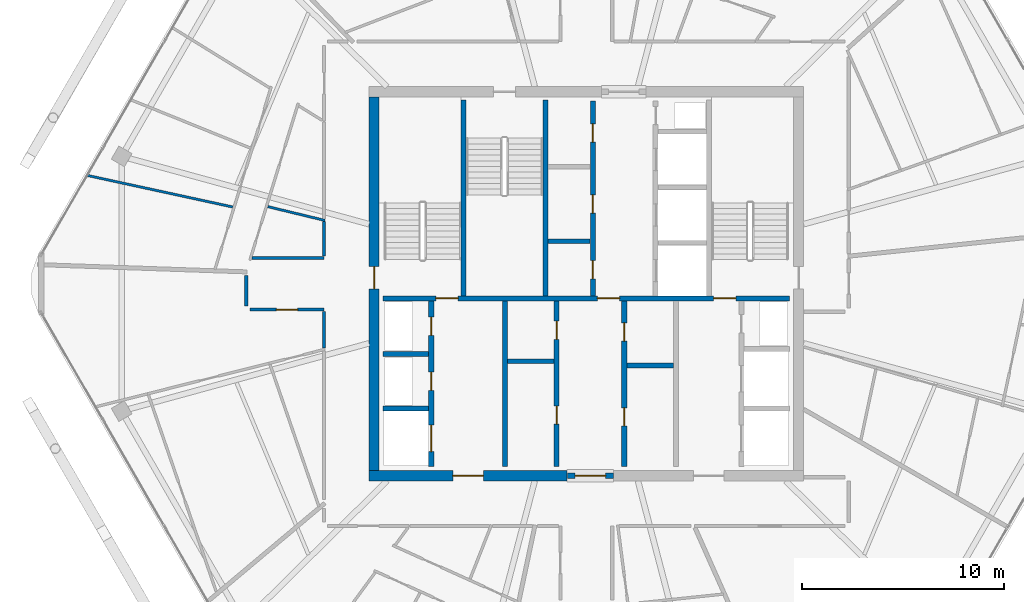
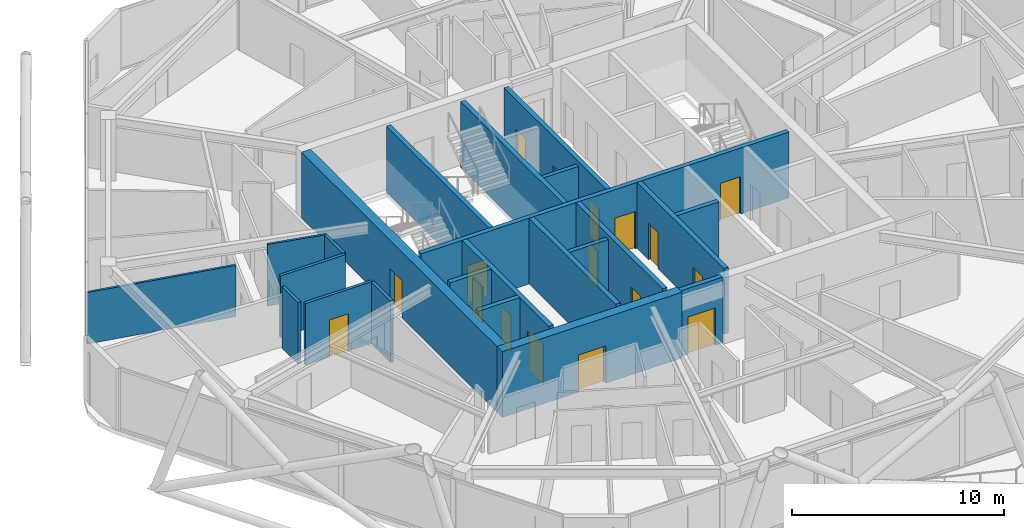
# One storey, part 17 of 23: 23 walls, 17 doors, 17 openings.
"""IFC4 building model written with IfcOpenShell, lengths in metres."""

from ifc_helpers import new_model, si_unit, direction, frame, frame_2d, origin, place, context, subcontext, project, spatial, rectangle, extrude, material, layer, layer_set, type_object, element, fill, save


model = new_model("IFC4")

# Units and contexts
model_context = context("Model", 3, precision=1e-05, world=origin(), true_north=direction((0.0, 1.0)))
body_context = subcontext(model_context, "Body", "Model", "MODEL_VIEW")
ifc_project = project(units=[si_unit("LENGTHUNIT", "METRE"), si_unit("AREAUNIT", "SQUARE_METRE"), si_unit("VOLUMEUNIT", "CUBIC_METRE"), si_unit("PLANEANGLEUNIT", "RADIAN"), si_unit("MASSUNIT", "GRAM", prefix="KILO")], contexts=[model_context])

# Site, building, storey
site_placement = place(None, origin())
site = spatial("IfcSite", under=ifc_project, at=site_placement, CompositionType="ELEMENT")
building_placement = place(site_placement, origin())
building = spatial("IfcBuilding", under=site, at=building_placement, Name="Zuhravey Tower", CompositionType="ELEMENT")
storey_placement = place(building_placement, frame((0.0, 0.0, 346.199951171875)))
storey = spatial("IfcBuildingStorey", under=building, at=storey_placement, Name="L88", CompositionType="ELEMENT", Elevation=346.199951171875)

# Wall, opening, door
ifc_material_1 = material(Name="Concrete C50/60", Category="concrete")
ifc_layer_1 = layer(ifc_material_1, 0.5)
ifc_layer_set_1 = layer_set([ifc_layer_1], Name="Concrete C50/60")
wall_type_1 = type_object("IfcWallType", Name="Core Shear Wall 500", PredefinedType="SHEAR", material=ifc_layer_set_1)
wall_1_placement = place(storey_placement, frame((25.25, 22.5, 0.0), z_axis=(0.0, 0.0, 1.0), x_axis=(1.0, 0.0, 0.0)))
wall_1 = element("IfcWall", 1, at=wall_1_placement, inside=storey, type_object=wall_type_1, Name="L88 South-West Core Shear Wall CW50", PredefinedType="SHEAR", context=body_context, shape_type="SweptSolid", body=[
    extrude(rectangle(XDim=9.800048828125, YDim=0.5, at=frame_2d((4.89990234375, 0.0))), origin(), (0.0, 0.0, 1.0), 3.800048828125),
])
opening_1_placement = place(wall_1_placement, frame((4.14990234375, 0.0, 0.0)))
opening_1 = element("IfcOpeningElement", 2, at=opening_1_placement, cuts=wall_1, Name="Opening FFD1", PredefinedType="OPENING", context=body_context, shape_type="SweptSolid", body=[
    extrude(rectangle(XDim=1.5, YDim=2.14990234375, at=frame_2d((0.75, 1.074951171875))), frame((0.0, 0.261962890625, 0.0), z_axis=(0.0, -1.0, 0.0), x_axis=(1.0, 0.0, 0.0)), (0.0, 0.0, 1.0), 0.52392578125),
])
ifc_material_2 = material(Name="Galvanised fire-rated steel leaf", Category="steel")
door_type_1 = type_object("IfcDoorType", Name="Firefighting Lobby Double Door 1500x2150", OperationType="DOUBLE_DOOR_SINGLE_SWING", PredefinedType="DOOR", material=ifc_material_2)
door_1_placement = place(opening_1_placement, origin())
door_1 = element("IfcDoor", 3, at=door_1_placement, inside=storey, type_object=door_type_1, Name="L88 Firefighting Lobby West Door", OperationType="DOUBLE_DOOR_SINGLE_SWING", OverallHeight=2.14990234375, OverallWidth=1.5, PredefinedType="DOOR", context=body_context, shape_type="SweptSolid", body=[
    extrude(rectangle(XDim=1.5, YDim=2.14990234375, at=frame_2d((0.75, 1.074951171875))), frame((0.0, 0.02490234375, 0.0), z_axis=(0.0, -1.0, 0.0), x_axis=(1.0, 0.0, 0.0)), (0.0, 0.0, 1.0), 0.050048828125),
])
fill(opening_1, door_1)

wall_2_placement = place(storey_placement, frame((25.5, 22.75, 0.0), z_axis=(0.0, 0.0, 1.0), x_axis=(0.0, 1.0, 0.0)))
wall_2 = element("IfcWall", 4, at=wall_2_placement, inside=storey, type_object=wall_type_1, Name="L88 West Core Shear Wall CW50", PredefinedType="SHEAR", context=body_context, shape_type="SweptSolid", body=[
    extrude(rectangle(XDim=18.5, YDim=0.5, at=frame_2d((9.25, 0.0))), origin(), (0.0, 0.0, 1.0), 3.800048828125),
])
opening_2_placement = place(wall_2_placement, frame((9.0, 0.0, 0.0)))
opening_2 = element("IfcOpeningElement", 5, at=opening_2_placement, cuts=wall_2, Name="Opening STD1", PredefinedType="OPENING", context=body_context, shape_type="SweptSolid", body=[
    extrude(rectangle(XDim=1.10009765625, YDim=2.14990234375, at=frame_2d((0.550048828125, 1.074951171875))), frame((0.0, 0.261962890625, 0.0), z_axis=(0.0, -1.0, 0.0), x_axis=(1.0, 0.0, 0.0)), (0.0, 0.0, 1.0), 0.52392578125),
])
door_type_2 = type_object("IfcDoorType", Name="Protected Stair Fire Door 1100x2150", OperationType="NOTDEFINED", PredefinedType="USERDEFINED", material=ifc_material_2)
door_2_placement = place(opening_2_placement, frame((1.10009765625, 0.0, 0.0), z_axis=(0.0, 0.0, 1.0), x_axis=(-1.0, 0.0, 0.0)))
door_2 = element("IfcDoor", 6, at=door_2_placement, inside=storey, type_object=door_type_2, Name="L88 Stair ST1 Door", ObjectType="EXITDOOR", OperationType="SINGLE_SWING_RIGHT", OverallHeight=2.14990234375, OverallWidth=1.10009765625, PredefinedType="USERDEFINED", context=body_context, shape_type="SweptSolid", body=[
    extrude(rectangle(XDim=1.10009765625, YDim=2.14990234375, at=frame_2d((0.550048828125, 1.074951171875))), frame((0.0, 0.02490234375, 0.0), z_axis=(0.0, -1.0, 0.0), x_axis=(1.0, 0.0, 0.0)), (0.0, 0.0, 1.0), 0.050048828125),
])
fill(opening_2, door_2)

ifc_material_3 = material(Name="Gypsum fire-rated stud partition")
ifc_layer_2 = layer(ifc_material_3, 0.159912109375)
ifc_layer_set_2 = layer_set([ifc_layer_2], Name="Gypsum fire-rated stud partition")
wall_type_2 = type_object("IfcWallType", Name="Corridor Fire Partition 160", PredefinedType="PARTITIONING", material=ifc_layer_set_2)
wall_3_placement = place(storey_placement, frame((19.35009765625, 30.719970703125, 0.0), z_axis=(0.0, 0.0, 1.0), x_axis=(1.0, 0.0, 0.0)))
wall_3 = element("IfcWall", 7, at=wall_3_placement, inside=storey, type_object=wall_type_2, Name="L88 IW16 Partition 033", PredefinedType="PARTITIONING", context=body_context, shape_type="SweptSolid", body=[
    extrude(rectangle(XDim=3.669921875, YDim=0.159912109375, at=frame_2d((1.8349609375, 0.0))), origin(), (0.0, 0.0, 1.0), 3.550048828125),
])
opening_3_placement = place(wall_3_placement, frame((1.31005859375, 0.0, 0.0)))
opening_3 = element("IfcOpeningElement", 8, at=opening_3_placement, cuts=wall_3, Name="Opening APD1", PredefinedType="OPENING", context=body_context, shape_type="SweptSolid", body=[
    extrude(rectangle(XDim=1.050048828125, YDim=2.14990234375, at=frame_2d((0.52490234375, 1.074951171875))), frame((0.0, 0.092041015625, 0.0), z_axis=(0.0, -1.0, 0.0), x_axis=(1.0, 0.0, 0.0)), (0.0, 0.0, 1.0), 0.183837890625),
])
ifc_material_4 = material(Name="Solid-core oak fire-rated leaf")
door_type_3 = type_object("IfcDoorType", Name="Apartment Entrance Fire Door 1050x2150", OperationType="NOTDEFINED", PredefinedType="DOOR", material=ifc_material_4)
door_3_placement = place(opening_3_placement, frame((1.050048828125, 0.0, 0.0), z_axis=(0.0, 0.0, 1.0), x_axis=(-1.0, 0.0, 0.0)))
door_3 = element("IfcDoor", 9, at=door_3_placement, inside=storey, type_object=door_type_3, Name="L88 Door 033.1", OperationType="SINGLE_SWING_RIGHT", OverallHeight=2.14990234375, OverallWidth=1.050048828125, PredefinedType="DOOR", context=body_context, shape_type="SweptSolid", body=[
    extrude(rectangle(XDim=1.050048828125, YDim=2.14990234375, at=frame_2d((0.52490234375, 1.074951171875))), frame((0.0, 0.02490234375, 0.0), z_axis=(0.0, -1.0, 0.0), x_axis=(1.0, 0.0, 0.0)), (0.0, 0.0, 1.0), 0.050048828125),
])
fill(opening_3, door_3)

# Walls
wall_4_placement = place(storey_placement, frame((23.02001953125, 33.280029296875, 0.0), z_axis=(0.0, 0.0, 1.0), x_axis=(-1.0, 0.0, 0.0)))
element("IfcWall", 10, at=wall_4_placement, inside=storey, type_object=wall_type_2, Name="L88 IW16 Partition 111", PredefinedType="PARTITIONING", context=body_context, shape_type="SweptSolid", body=[
    extrude(rectangle(XDim=3.55859375, YDim=0.159912109375, at=frame_2d((1.779296875, 0.0))), origin(), (0.0, 0.0, 1.0), 3.550048828125),
])
wall_5_placement = place(storey_placement, frame((23.02001953125, 35.072998046875, 0.0), z_axis=(0.0, 0.0, 1.0), x_axis=(0.0, -1.0, 0.0)))
element("IfcWall", 11, at=wall_5_placement, inside=storey, type_object=wall_type_2, Name="L88 IW16 Partition 112", PredefinedType="PARTITIONING", context=body_context, shape_type="SweptSolid", body=[
    extrude(rectangle(XDim=1.705078125, YDim=0.159912109375, at=frame_2d((0.8525390625, 0.0))), origin(), (0.0, 0.0, 1.0), 3.550048828125),
])
wall_6_placement = place(storey_placement, frame((23.02001953125, 30.632080078125, 0.0), z_axis=(0.0, 0.0, 1.0), x_axis=(0.0, -1.0, 0.0)))
element("IfcWall", 12, at=wall_6_placement, inside=storey, type_object=wall_type_2, Name="L88 IW16 Partition 113", PredefinedType="PARTITIONING", context=body_context, shape_type="SweptSolid", body=[
    extrude(rectangle(XDim=1.8173828125, YDim=0.159912109375, at=frame_2d((0.90869140625, 0.0))), origin(), (0.0, 0.0, 1.0), 3.550048828125),
])
wall_7_placement = place(storey_placement, frame((19.169921875, 32.420654296875, 0.0), z_axis=(0.0, 0.0, 1.0), x_axis=(0.0, -1.0, 0.0)))
element("IfcWall", 13, at=wall_7_placement, inside=storey, type_object=wall_type_2, Name="L88 IW16 Partition 114", PredefinedType="PARTITIONING", context=body_context, shape_type="SweptSolid", body=[
    extrude(rectangle(XDim=1.520751953125, YDim=0.159912109375, at=frame_2d((0.76025390625, 0.0))), origin(), (0.0, 0.0, 1.0), 3.550048828125),
])

# Wall, opening, door
ifc_layer_3 = layer(ifc_material_1, 0.25)
ifc_layer_set_3 = layer_set([ifc_layer_3], Name="Concrete C50/60")
wall_type_3 = type_object("IfcWallType", Name="Firefighting Shaft & Stair Wall 250", PredefinedType="SOLIDWALL", material=ifc_layer_set_3)
wall_8_placement = place(storey_placement, frame((35.06005859375, 22.5, 0.0), z_axis=(0.0, 0.0, 1.0), x_axis=(1.0, 0.0, 0.0)))
wall_8 = element("IfcWall", 14, at=wall_8_placement, inside=storey, type_object=wall_type_3, Name="L88 FW25 Shaft Wall 001", PredefinedType="SOLIDWALL", context=body_context, shape_type="SweptSolid", body=[
    extrude(rectangle(XDim=2.280029296875, YDim=0.25, at=frame_2d((1.14013671875, 0.0))), origin(), (0.0, 0.0, 1.0), 3.800048828125),
])
opening_4_placement = place(wall_8_placement, frame((0.389892578125, 0.0, 0.0)))
opening_4 = element("IfcOpeningElement", 15, at=opening_4_placement, cuts=wall_8, Name="Opening FFD1", PredefinedType="OPENING", context=body_context, shape_type="SweptSolid", body=[
    extrude(rectangle(XDim=1.5, YDim=2.14990234375, at=frame_2d((0.75, 1.074951171875))), frame((0.0, 0.136962890625, 0.0), z_axis=(0.0, -1.0, 0.0), x_axis=(1.0, 0.0, 0.0)), (0.0, 0.0, 1.0), 0.27392578125),
])
door_4_placement = place(opening_4_placement, frame((1.5, 0.0, 0.0), z_axis=(0.0, 0.0, 1.0), x_axis=(-1.0, 0.0, 0.0)))
door_4 = element("IfcDoor", 16, at=door_4_placement, inside=storey, type_object=door_type_1, Name="L88 South Lift Lobby Exit Door", OperationType="DOUBLE_DOOR_SINGLE_SWING", OverallHeight=2.14990234375, OverallWidth=1.5, PredefinedType="DOOR", context=body_context, shape_type="SweptSolid", body=[
    extrude(rectangle(XDim=1.5, YDim=2.14990234375, at=frame_2d((0.75, 1.074951171875))), frame((0.0, 0.02490234375, 0.0), z_axis=(0.0, -1.0, 0.0), x_axis=(1.0, 0.0, 0.0)), (0.0, 0.0, 1.0), 0.050048828125),
])
fill(opening_4, door_4)

# Wall, openings, doors
wall_9_placement = place(storey_placement, frame((25.949951171875, 31.27490234375, 0.0), z_axis=(0.0, 0.0, 1.0), x_axis=(1.0, 0.0, 0.0)))
wall_9 = element("IfcWall", 17, at=wall_9_placement, inside=storey, type_object=wall_type_3, Name="L88 FW25 Shaft Wall 003", PredefinedType="SOLIDWALL", context=body_context, shape_type="SweptSolid", body=[
    extrude(rectangle(XDim=20.10009765625, YDim=0.25, at=frame_2d((10.050048828125, 0.0))), origin(), (0.0, 0.0, 1.0), 3.800048828125),
])
opening_5_placement = place(wall_9_placement, frame((2.60009765625, 0.0, 0.0)))
opening_5 = element("IfcOpeningElement", 18, at=opening_5_placement, cuts=wall_9, Name="Opening STD1", PredefinedType="OPENING", context=body_context, shape_type="SweptSolid", body=[
    extrude(rectangle(XDim=1.10009765625, YDim=2.14990234375, at=frame_2d((0.550048828125, 1.074951171875))), frame((0.0, 0.136962890625, 0.0), z_axis=(0.0, -1.0, 0.0), x_axis=(1.0, 0.0, 0.0)), (0.0, 0.0, 1.0), 0.27392578125),
])
opening_6_placement = place(wall_9_placement, frame((10.60009765625, 0.0, 0.0)))
opening_6 = element("IfcOpeningElement", 19, at=opening_6_placement, cuts=wall_9, Name="Opening STD1", PredefinedType="OPENING", context=body_context, shape_type="SweptSolid", body=[
    extrude(rectangle(XDim=1.10009765625, YDim=2.14990234375, at=frame_2d((0.550048828125, 1.074951171875))), frame((0.0, 0.136962890625, 0.0), z_axis=(0.0, -1.0, 0.0), x_axis=(1.0, 0.0, 0.0)), (0.0, 0.0, 1.0), 0.27392578125),
])
opening_7_placement = place(wall_9_placement, frame((16.35009765625, 0.0, 0.0)))
opening_7 = element("IfcOpeningElement", 20, at=opening_7_placement, cuts=wall_9, Name="Opening STD1", PredefinedType="OPENING", context=body_context, shape_type="SweptSolid", body=[
    extrude(rectangle(XDim=1.10009765625, YDim=2.14990234375, at=frame_2d((0.550048828125, 1.074951171875))), frame((0.0, 0.136962890625, 0.0), z_axis=(0.0, -1.0, 0.0), x_axis=(1.0, 0.0, 0.0)), (0.0, 0.0, 1.0), 0.27392578125),
])
door_5_placement = place(opening_5_placement, origin())
door_5 = element("IfcDoor", 21, at=door_5_placement, inside=storey, type_object=door_type_2, Name="L88 FFL-W to ST1 Door", ObjectType="EXITDOOR", OperationType="SINGLE_SWING_LEFT", OverallHeight=2.14990234375, OverallWidth=1.10009765625, PredefinedType="USERDEFINED", context=body_context, shape_type="SweptSolid", body=[
    extrude(rectangle(XDim=1.10009765625, YDim=2.14990234375, at=frame_2d((0.550048828125, 1.074951171875))), frame((0.0, 0.02490234375, 0.0), z_axis=(0.0, -1.0, 0.0), x_axis=(1.0, 0.0, 0.0)), (0.0, 0.0, 1.0), 0.050048828125),
])
fill(opening_5, door_5)
door_6_placement = place(opening_6_placement, origin())
door_6 = element("IfcDoor", 22, at=door_6_placement, inside=storey, type_object=door_type_2, Name="L88 Core Lobby Link Door", ObjectType="EXITDOOR", OperationType="SINGLE_SWING_RIGHT", OverallHeight=2.14990234375, OverallWidth=1.10009765625, PredefinedType="USERDEFINED", context=body_context, shape_type="SweptSolid", body=[
    extrude(rectangle(XDim=1.10009765625, YDim=2.14990234375, at=frame_2d((0.550048828125, 1.074951171875))), frame((0.0, 0.02490234375, 0.0), z_axis=(0.0, -1.0, 0.0), x_axis=(1.0, 0.0, 0.0)), (0.0, 0.0, 1.0), 0.050048828125),
])
fill(opening_6, door_6)
door_7_placement = place(opening_7_placement, origin())
door_7 = element("IfcDoor", 23, at=door_7_placement, inside=storey, type_object=door_type_2, Name="L88 FFL-E to ST2 Door", ObjectType="EXITDOOR", OperationType="SINGLE_SWING_LEFT", OverallHeight=2.14990234375, OverallWidth=1.10009765625, PredefinedType="USERDEFINED", context=body_context, shape_type="SweptSolid", body=[
    extrude(rectangle(XDim=1.10009765625, YDim=2.14990234375, at=frame_2d((0.550048828125, 1.074951171875))), frame((0.0, 0.02490234375, 0.0), z_axis=(0.0, -1.0, 0.0), x_axis=(1.0, 0.0, 0.0)), (0.0, 0.0, 1.0), 0.050048828125),
])
fill(opening_7, door_7)

# Walls
for number, where, z_axis, x_axis, name in (
    (24, (29.925048828125, 31.39990234375, 0.0), (0.0, 0.0, 1.0), (0.0, 1.0, 0.0), "L88 FW25 Shaft Wall 004"),
    (25, (33.97509765625, 31.39990234375, 0.0), (0.0, 0.0, 1.0), (0.0, 1.0, 0.0), "L88 FW25 Shaft Wall 005"),
):
    element("IfcWall", number, at=place(storey_placement, frame(where, z_axis=z_axis, x_axis=x_axis)), inside=storey, type_object=wall_type_3, Name=name, PredefinedType="SOLIDWALL", context=body_context, shape_type="SweptSolid", body=[
        extrude(rectangle(XDim=9.7001953125, YDim=0.25, at=frame_2d((4.85009765625, 0.0))), origin(), (0.0, 0.0, 1.0), 3.800048828125),
    ])

# Wall, openings, doors
wall_10_placement = place(storey_placement, frame((36.324951171875, 31.39990234375, 0.0), z_axis=(0.0, 0.0, 1.0), x_axis=(0.0, 1.0, 0.0)))
wall_10 = element("IfcWall", 26, at=wall_10_placement, inside=storey, type_object=wall_type_3, Name="L88 FW25 Shaft Wall 007", PredefinedType="SOLIDWALL", context=body_context, shape_type="SweptSolid", body=[
    extrude(rectangle(XDim=9.650146484375, YDim=0.25, at=frame_2d((4.8251953125, 0.0))), origin(), (0.0, 0.0, 1.0), 3.800048828125),
])
opening_8_placement = place(wall_10_placement, frame((0.840087890625, 0.0, 0.0)))
opening_8 = element("IfcOpeningElement", 27, at=opening_8_placement, cuts=wall_10, Name="Opening RSD1", PredefinedType="OPENING", context=body_context, shape_type="SweptSolid", body=[
    extrude(rectangle(XDim=0.89990234375, YDim=2.10009765625, at=frame_2d((0.449951171875, 1.050048828125))), frame((0.0, 0.136962890625, 0.0), z_axis=(0.0, -1.0, 0.0), x_axis=(1.0, 0.0, 0.0)), (0.0, 0.0, 1.0), 0.27392578125),
])
opening_9_placement = place(wall_10_placement, frame((4.10009765625, 0.0, 0.0)))
opening_9 = element("IfcOpeningElement", 28, at=opening_9_placement, cuts=wall_10, Name="Opening RSD1", PredefinedType="OPENING", context=body_context, shape_type="SweptSolid", body=[
    extrude(rectangle(XDim=0.89990234375, YDim=2.10009765625, at=frame_2d((0.449951171875, 1.050048828125))), frame((0.0, 0.136962890625, 0.0), z_axis=(0.0, -1.0, 0.0), x_axis=(1.0, 0.0, 0.0)), (0.0, 0.0, 1.0), 0.27392578125),
])
opening_10_placement = place(wall_10_placement, frame((7.610107421875, 0.0, 0.0)))
opening_10 = element("IfcOpeningElement", 29, at=opening_10_placement, cuts=wall_10, Name="Opening RSD1", PredefinedType="OPENING", context=body_context, shape_type="SweptSolid", body=[
    extrude(rectangle(XDim=0.89990234375, YDim=2.10009765625, at=frame_2d((0.449951171875, 1.050048828125))), frame((0.0, 0.136962890625, 0.0), z_axis=(0.0, -1.0, 0.0), x_axis=(1.0, 0.0, 0.0)), (0.0, 0.0, 1.0), 0.27392578125),
])
ifc_material_5 = material(Name="Galvanised fire-rated steel access leaf", Category="steel")
door_type_4 = type_object("IfcDoorType", Name="Riser & Shaft Access Fire Door 900x2100", OperationType="NOTDEFINED", PredefinedType="DOOR", material=ifc_material_5)
door_8_placement = place(opening_8_placement, origin())
door_8 = element("IfcDoor", 30, at=door_8_placement, inside=storey, type_object=door_type_4, Name="L88 Core Staff WC Door", OperationType="SINGLE_SWING_RIGHT", OverallHeight=2.10009765625, OverallWidth=0.89990234375, PredefinedType="DOOR", context=body_context, shape_type="SweptSolid", body=[
    extrude(rectangle(XDim=0.89990234375, YDim=2.10009765625, at=frame_2d((0.449951171875, 1.050048828125))), frame((0.0, 0.02490234375, 0.0), z_axis=(0.0, -1.0, 0.0), x_axis=(1.0, 0.0, 0.0)), (0.0, 0.0, 1.0), 0.050048828125),
])
fill(opening_8, door_8)
door_9_placement = place(opening_9_placement, origin())
door_9 = element("IfcDoor", 31, at=door_9_placement, inside=storey, type_object=door_type_4, Name="L88 IT and Comms Room Door", OperationType="SINGLE_SWING_LEFT", OverallHeight=2.10009765625, OverallWidth=0.89990234375, PredefinedType="DOOR", context=body_context, shape_type="SweptSolid", body=[
    extrude(rectangle(XDim=0.89990234375, YDim=2.10009765625, at=frame_2d((0.449951171875, 1.050048828125))), frame((0.0, 0.02490234375, 0.0), z_axis=(0.0, -1.0, 0.0), x_axis=(1.0, 0.0, 0.0)), (0.0, 0.0, 1.0), 0.050048828125),
])
fill(opening_9, door_9)
door_10_placement = place(opening_10_placement, origin())
door_10 = element("IfcDoor", 32, at=door_10_placement, inside=storey, type_object=door_type_4, Name="L88 Janitor Linen Store Door", OperationType="SINGLE_SWING_RIGHT", OverallHeight=2.10009765625, OverallWidth=0.89990234375, PredefinedType="DOOR", context=body_context, shape_type="SweptSolid", body=[
    extrude(rectangle(XDim=0.89990234375, YDim=2.10009765625, at=frame_2d((0.449951171875, 1.050048828125))), frame((0.0, 0.02490234375, 0.0), z_axis=(0.0, -1.0, 0.0), x_axis=(1.0, 0.0, 0.0)), (0.0, 0.0, 1.0), 0.050048828125),
])
fill(opening_10, door_10)

# Walls
for number, where, z_axis, x_axis, name in (
    (33, (25.949951171875, 25.824951171875, 0.0), (0.0, 0.0, 1.0), (1.0, 0.0, 0.0), "L88 FW25 Shaft Wall 009"),
    (34, (25.949951171875, 28.52490234375, 0.0), (0.0, 0.0, 1.0), (1.0, 0.0, 0.0), "L88 FW25 Shaft Wall 010"),
):
    element("IfcWall", number, at=place(storey_placement, frame(where, z_axis=z_axis, x_axis=x_axis)), inside=storey, type_object=wall_type_3, Name=name, PredefinedType="SOLIDWALL", context=body_context, shape_type="SweptSolid", body=[
        extrude(rectangle(XDim=2.25, YDim=0.25, at=frame_2d((1.125, 0.0))), origin(), (0.0, 0.0, 1.0), 3.800048828125),
    ])

# Wall, openings, doors
wall_11_placement = place(storey_placement, frame((28.324951171875, 22.949951171875, 0.0), z_axis=(0.0, 0.0, 1.0), x_axis=(0.0, 1.0, 0.0)))
wall_11 = element("IfcWall", 35, at=wall_11_placement, inside=storey, type_object=wall_type_3, Name="L88 FW25 Shaft Wall 011", PredefinedType="SOLIDWALL", context=body_context, shape_type="SweptSolid", body=[
    extrude(rectangle(XDim=8.199951171875, YDim=0.25, at=frame_2d((4.10009765625, 0.0))), origin(), (0.0, 0.0, 1.0), 3.800048828125),
])
opening_11_placement = place(wall_11_placement, frame((0.75, 0.0, 0.0)))
opening_11 = element("IfcOpeningElement", 36, at=opening_11_placement, cuts=wall_11, Name="Opening LD2", PredefinedType="OPENING", context=body_context, shape_type="SweptSolid", body=[
    extrude(rectangle(XDim=1.300048828125, YDim=2.300048828125, at=frame_2d((0.64990234375, 1.14990234375))), frame((0.0, 0.136962890625, 0.0), z_axis=(0.0, -1.0, 0.0), x_axis=(1.0, 0.0, 0.0)), (0.0, 0.0, 1.0), 0.27392578125),
])
opening_12_placement = place(wall_11_placement, frame((3.780029296875, 0.0, 0.0)))
opening_12 = element("IfcOpeningElement", 37, at=opening_12_placement, cuts=wall_11, Name="Opening RSD1", PredefinedType="OPENING", context=body_context, shape_type="SweptSolid", body=[
    extrude(rectangle(XDim=0.89990234375, YDim=2.10009765625, at=frame_2d((0.449951171875, 1.050048828125))), frame((0.0, 0.136962890625, 0.0), z_axis=(0.0, -1.0, 0.0), x_axis=(1.0, 0.0, 0.0)), (0.0, 0.0, 1.0), 0.27392578125),
])
opening_13_placement = place(wall_11_placement, frame((6.5, 0.0, 0.0)))
opening_13 = element("IfcOpeningElement", 38, at=opening_13_placement, cuts=wall_11, Name="Opening RSD1", PredefinedType="OPENING", context=body_context, shape_type="SweptSolid", body=[
    extrude(rectangle(XDim=0.89990234375, YDim=2.10009765625, at=frame_2d((0.449951171875, 1.050048828125))), frame((0.0, 0.136962890625, 0.0), z_axis=(0.0, -1.0, 0.0), x_axis=(1.0, 0.0, 0.0)), (0.0, 0.0, 1.0), 0.27392578125),
])
ifc_material_6 = material(Name="Brushed stainless steel", Category="steel")
door_type_5 = type_object("IfcDoorType", Name="Freight & Stretcher Lift Sliding Door 1300x2300", OperationType="DOUBLE_DOOR_SLIDING", PredefinedType="DOOR", material=ifc_material_6)
door_11_placement = place(opening_11_placement, frame((1.300048828125, 0.0, 0.0), z_axis=(0.0, 0.0, 1.0), x_axis=(-1.0, 0.0, 0.0)))
door_11 = element("IfcDoor", 39, at=door_11_placement, inside=storey, type_object=door_type_5, Name="L88 Lift FF1 Landing Door", OperationType="DOUBLE_DOOR_SLIDING", OverallHeight=2.300048828125, OverallWidth=1.300048828125, PredefinedType="DOOR", context=body_context, shape_type="SweptSolid", body=[
    extrude(rectangle(XDim=1.300048828125, YDim=2.300048828125, at=frame_2d((0.64990234375, 1.14990234375))), frame((0.0, 0.02490234375, 0.0), z_axis=(0.0, -1.0, 0.0), x_axis=(1.0, 0.0, 0.0)), (0.0, 0.0, 1.0), 0.050048828125),
])
fill(opening_11, door_11)
door_12_placement = place(opening_12_placement, frame((0.89990234375, 0.0, 0.0), z_axis=(0.0, 0.0, 1.0), x_axis=(-1.0, 0.0, 0.0)))
door_12 = element("IfcDoor", 40, at=door_12_placement, inside=storey, type_object=door_type_4, Name="L88 Electrical Riser Door", OperationType="SINGLE_SWING_RIGHT", OverallHeight=2.10009765625, OverallWidth=0.89990234375, PredefinedType="DOOR", context=body_context, shape_type="SweptSolid", body=[
    extrude(rectangle(XDim=0.89990234375, YDim=2.10009765625, at=frame_2d((0.449951171875, 1.050048828125))), frame((0.0, 0.02490234375, 0.0), z_axis=(0.0, -1.0, 0.0), x_axis=(1.0, 0.0, 0.0)), (0.0, 0.0, 1.0), 0.050048828125),
])
fill(opening_12, door_12)
door_13_placement = place(opening_13_placement, frame((0.89990234375, 0.0, 0.0), z_axis=(0.0, 0.0, 1.0), x_axis=(-1.0, 0.0, 0.0)))
door_13 = element("IfcDoor", 41, at=door_13_placement, inside=storey, type_object=door_type_4, Name="L88 Smoke Shaft Access Door", OperationType="SINGLE_SWING_LEFT", OverallHeight=2.10009765625, OverallWidth=0.89990234375, PredefinedType="DOOR", context=body_context, shape_type="SweptSolid", body=[
    extrude(rectangle(XDim=0.89990234375, YDim=2.10009765625, at=frame_2d((0.449951171875, 1.050048828125))), frame((0.0, 0.02490234375, 0.0), z_axis=(0.0, -1.0, 0.0), x_axis=(1.0, 0.0, 0.0)), (0.0, 0.0, 1.0), 0.050048828125),
])
fill(opening_13, door_13)

# Wall
wall_12_placement = place(storey_placement, frame((31.97509765625, 22.949951171875, 0.0), z_axis=(0.0, 0.0, 1.0), x_axis=(0.0, 1.0, 0.0)))
element("IfcWall", 42, at=wall_12_placement, inside=storey, type_object=wall_type_3, Name="L88 FW25 Shaft Wall 012", PredefinedType="SOLIDWALL", context=body_context, shape_type="SweptSolid", body=[
    extrude(rectangle(XDim=8.199951171875, YDim=0.25, at=frame_2d((4.10009765625, 0.0))), origin(), (0.0, 0.0, 1.0), 3.800048828125),
])

# Wall, openings, doors
wall_13_placement = place(storey_placement, frame((34.52490234375, 22.949951171875, 0.0), z_axis=(0.0, 0.0, 1.0), x_axis=(0.0, 1.0, 0.0)))
wall_13 = element("IfcWall", 43, at=wall_13_placement, inside=storey, type_object=wall_type_3, Name="L88 FW25 Shaft Wall 013", PredefinedType="SOLIDWALL", context=body_context, shape_type="SweptSolid", body=[
    extrude(rectangle(XDim=8.199951171875, YDim=0.25, at=frame_2d((4.10009765625, 0.0))), origin(), (0.0, 0.0, 1.0), 3.800048828125),
])
opening_14_placement = place(wall_13_placement, frame((2.10009765625, 0.0, 0.0)))
opening_14 = element("IfcOpeningElement", 44, at=opening_14_placement, cuts=wall_13, Name="Opening RSD1", PredefinedType="OPENING", context=body_context, shape_type="SweptSolid", body=[
    extrude(rectangle(XDim=0.89990234375, YDim=2.10009765625, at=frame_2d((0.449951171875, 1.050048828125))), frame((0.0, 0.136962890625, 0.0), z_axis=(0.0, -1.0, 0.0), x_axis=(1.0, 0.0, 0.0)), (0.0, 0.0, 1.0), 0.27392578125),
])
opening_15_placement = place(wall_13_placement, frame((6.300048828125, 0.0, 0.0)))
opening_15 = element("IfcOpeningElement", 45, at=opening_15_placement, cuts=wall_13, Name="Opening RSD1", PredefinedType="OPENING", context=body_context, shape_type="SweptSolid", body=[
    extrude(rectangle(XDim=0.89990234375, YDim=2.10009765625, at=frame_2d((0.449951171875, 1.050048828125))), frame((0.0, 0.136962890625, 0.0), z_axis=(0.0, -1.0, 0.0), x_axis=(1.0, 0.0, 0.0)), (0.0, 0.0, 1.0), 0.27392578125),
])
door_14_placement = place(opening_14_placement, origin())
door_14 = element("IfcDoor", 46, at=door_14_placement, inside=storey, type_object=door_type_4, Name="L88 Housekeeping Store Door", OperationType="SINGLE_SWING_RIGHT", OverallHeight=2.10009765625, OverallWidth=0.89990234375, PredefinedType="DOOR", context=body_context, shape_type="SweptSolid", body=[
    extrude(rectangle(XDim=0.89990234375, YDim=2.10009765625, at=frame_2d((0.449951171875, 1.050048828125))), frame((0.0, 0.02490234375, 0.0), z_axis=(0.0, -1.0, 0.0), x_axis=(1.0, 0.0, 0.0)), (0.0, 0.0, 1.0), 0.050048828125),
])
fill(opening_14, door_14)
door_15_placement = place(opening_15_placement, origin())
door_15 = element("IfcDoor", 47, at=door_15_placement, inside=storey, type_object=door_type_4, Name="L88 Comms Closet Door", OperationType="SINGLE_SWING_LEFT", OverallHeight=2.10009765625, OverallWidth=0.89990234375, PredefinedType="DOOR", context=body_context, shape_type="SweptSolid", body=[
    extrude(rectangle(XDim=0.89990234375, YDim=2.10009765625, at=frame_2d((0.449951171875, 1.050048828125))), frame((0.0, 0.02490234375, 0.0), z_axis=(0.0, -1.0, 0.0), x_axis=(1.0, 0.0, 0.0)), (0.0, 0.0, 1.0), 0.050048828125),
])
fill(opening_15, door_15)

# Wall
wall_14_placement = place(storey_placement, frame((38.0, 27.949951171875, 0.0), z_axis=(0.0, 0.0, 1.0), x_axis=(1.0, 0.0, 0.0)))
element("IfcWall", 48, at=wall_14_placement, inside=storey, type_object=wall_type_3, Name="L88 FW25 Shaft Wall 014", PredefinedType="SOLIDWALL", context=body_context, shape_type="SweptSolid", body=[
    extrude(rectangle(XDim=2.300048828125, YDim=0.25, at=frame_2d((1.14990234375, 0.0))), origin(), (0.0, 0.0, 1.0), 3.800048828125),
])

# Wall, openings, doors
wall_15_placement = place(storey_placement, frame((37.875, 22.949951171875, 0.0), z_axis=(0.0, 0.0, 1.0), x_axis=(0.0, 1.0, 0.0)))
wall_15 = element("IfcWall", 49, at=wall_15_placement, inside=storey, type_object=wall_type_3, Name="L88 FW25 Shaft Wall 015", PredefinedType="SOLIDWALL", context=body_context, shape_type="SweptSolid", body=[
    extrude(rectangle(XDim=8.199951171875, YDim=0.25, at=frame_2d((4.10009765625, 0.0))), origin(), (0.0, 0.0, 1.0), 3.800048828125),
])
opening_16_placement = place(wall_15_placement, frame((2.012451171875, 0.0, 0.0)))
opening_16 = element("IfcOpeningElement", 50, at=opening_16_placement, cuts=wall_15, Name="Opening RSD1", PredefinedType="OPENING", context=body_context, shape_type="SweptSolid", body=[
    extrude(rectangle(XDim=0.89990234375, YDim=2.10009765625, at=frame_2d((0.449951171875, 1.050048828125))), frame((0.0, 0.136962890625, 0.0), z_axis=(0.0, -1.0, 0.0), x_axis=(1.0, 0.0, 0.0)), (0.0, 0.0, 1.0), 0.27392578125),
])
opening_17_placement = place(wall_15_placement, frame((6.21240234375, 0.0, 0.0)))
opening_17 = element("IfcOpeningElement", 51, at=opening_17_placement, cuts=wall_15, Name="Opening RSD1", PredefinedType="OPENING", context=body_context, shape_type="SweptSolid", body=[
    extrude(rectangle(XDim=0.89990234375, YDim=2.10009765625, at=frame_2d((0.449951171875, 1.050048828125))), frame((0.0, 0.136962890625, 0.0), z_axis=(0.0, -1.0, 0.0), x_axis=(1.0, 0.0, 0.0)), (0.0, 0.0, 1.0), 0.27392578125),
])
door_16_placement = place(opening_16_placement, frame((0.89990234375, 0.0, 0.0), z_axis=(0.0, 0.0, 1.0), x_axis=(-1.0, 0.0, 0.0)))
door_16 = element("IfcDoor", 52, at=door_16_placement, inside=storey, type_object=door_type_4, Name="L88 Trunk Store Door", OperationType="SINGLE_SWING_RIGHT", OverallHeight=2.10009765625, OverallWidth=0.89990234375, PredefinedType="DOOR", context=body_context, shape_type="SweptSolid", body=[
    extrude(rectangle(XDim=0.89990234375, YDim=2.10009765625, at=frame_2d((0.449951171875, 1.050048828125))), frame((0.0, 0.02490234375, 0.0), z_axis=(0.0, -1.0, 0.0), x_axis=(1.0, 0.0, 0.0)), (0.0, 0.0, 1.0), 0.050048828125),
])
fill(opening_16, door_16)
door_17_placement = place(opening_17_placement, frame((0.89990234375, 0.0, 0.0), z_axis=(0.0, 0.0, 1.0), x_axis=(-1.0, 0.0, 0.0)))
door_17 = element("IfcDoor", 53, at=door_17_placement, inside=storey, type_object=door_type_4, Name="L88 Fiber Room Door", OperationType="SINGLE_SWING_LEFT", OverallHeight=2.10009765625, OverallWidth=0.89990234375, PredefinedType="DOOR", context=body_context, shape_type="SweptSolid", body=[
    extrude(rectangle(XDim=0.89990234375, YDim=2.10009765625, at=frame_2d((0.449951171875, 1.050048828125))), frame((0.0, 0.02490234375, 0.0), z_axis=(0.0, -1.0, 0.0), x_axis=(1.0, 0.0, 0.0)), (0.0, 0.0, 1.0), 0.050048828125),
])
fill(opening_17, door_17)

# Walls
ifc_material_7 = material(Name="Gypsum acoustic stud assembly")
ifc_layer_4 = layer(ifc_material_7, 0.219970703125)
ifc_layer_set_4 = layer_set([ifc_layer_4], Name="Gypsum acoustic stud assembly")
wall_type_4 = type_object("IfcWallType", Name="School Acoustic Compartment Wall 220", PredefinedType="PARTITIONING", material=ifc_layer_set_4)
wall_16_placement = place(storey_placement, frame((34.10791015625, 34.10009765625, 0.0), z_axis=(0.0, 0.0, 1.0), x_axis=(1.0, 0.0, 0.0)))
element("IfcWall", 54, at=wall_16_placement, inside=storey, type_object=wall_type_4, Name="L88 IW22 Partition 051", PredefinedType="PARTITIONING", context=body_context, shape_type="SweptSolid", body=[
    extrude(rectangle(XDim=2.083984375, YDim=0.219970703125, at=frame_2d((1.0419921875, 0.0))), origin(), (0.0, 0.0, 1.0), 3.550048828125),
])
wall_17_placement = place(storey_placement, frame((32.10791015625, 28.175048828125, 0.0), z_axis=(0.0, 0.0, 1.0), x_axis=(1.0, 0.0, 0.0)))
element("IfcWall", 55, at=wall_17_placement, inside=storey, type_object=wall_type_4, Name="L88 IW22 Partition 056", PredefinedType="PARTITIONING", context=body_context, shape_type="SweptSolid", body=[
    extrude(rectangle(XDim=2.2841796875, YDim=0.219970703125, at=frame_2d((1.14208984375, 0.0))), origin(), (0.0, 0.0, 1.0), 3.550048828125),
])
ifc_material_8 = material(Name="Gypsum metal-stud partition")
ifc_layer_5 = layer(ifc_material_8, 0.1201171875)
ifc_layer_set_5 = layer_set([ifc_layer_5], Name="Gypsum metal-stud partition")
wall_type_5 = type_object("IfcWallType", Name="Unit Internal Partition 120", PredefinedType="PARTITIONING", material=ifc_layer_set_5)
wall_18_placement = place(storey_placement, frame((23.070068359375, 35.130859375, 0.0), z_axis=(0.0, 0.0, 1.0), x_axis=(-0.971922258914, 0.235302194267, 0.0)))
element("IfcWall", 56, at=wall_18_placement, inside=storey, type_object=wall_type_5, Name="L88 IW12 Partition 071", PredefinedType="PARTITIONING", context=body_context, shape_type="SweptSolid", body=[
    extrude(rectangle(XDim=2.909423828125, YDim=0.1201171875, at=frame_2d((1.45458984375, 0.0))), origin(), (0.0, 0.0, 1.0), 3.550048828125),
])
wall_19_placement = place(storey_placement, frame((18.504150390625, 35.797607421875, 0.0), z_axis=(0.0, 0.0, 1.0), x_axis=(-0.977240169093, 0.212135927914, 0.0)))
element("IfcWall", 57, at=wall_19_placement, inside=storey, type_object=wall_type_5, Name="L88 IW12 Partition 073", PredefinedType="PARTITIONING", context=body_context, shape_type="SweptSolid", body=[
    extrude(rectangle(XDim=7.385009765625, YDim=0.1201171875, at=frame_2d((3.6923828125, 0.0))), origin(), (0.0, 0.0, 1.0), 2.969970703125),
])

save(model, "model.ifc")
